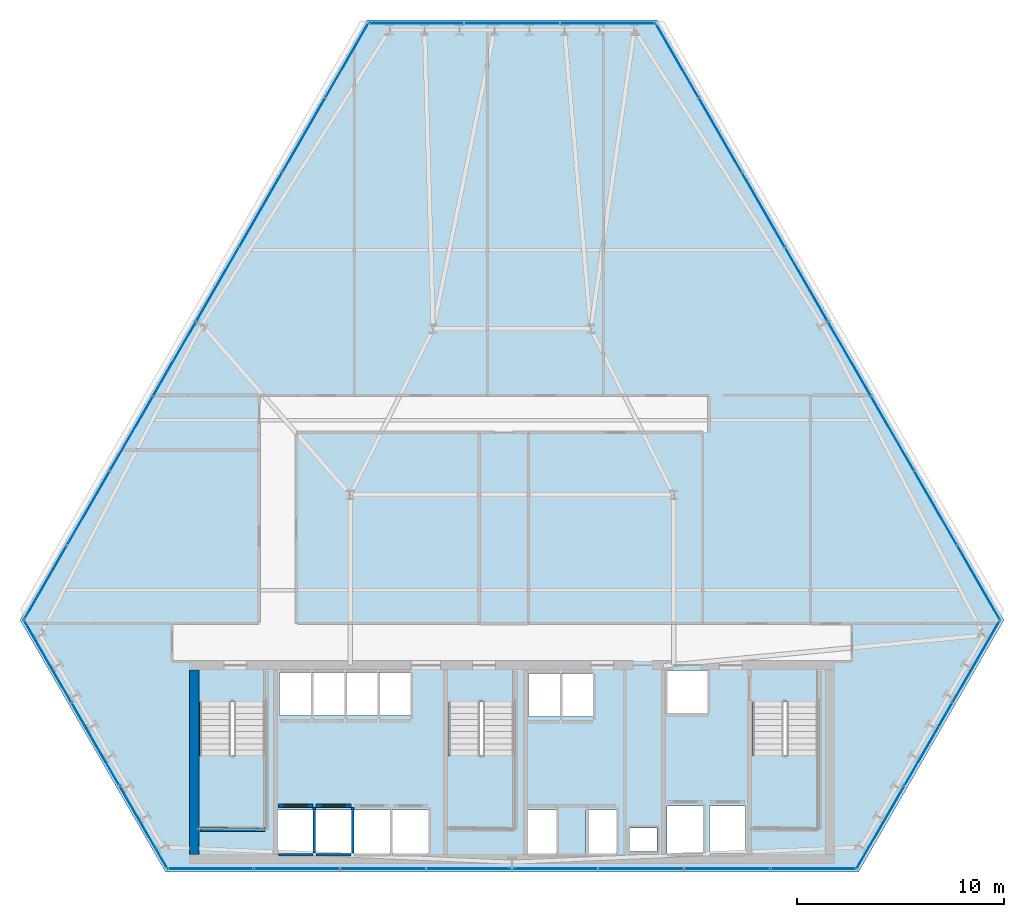
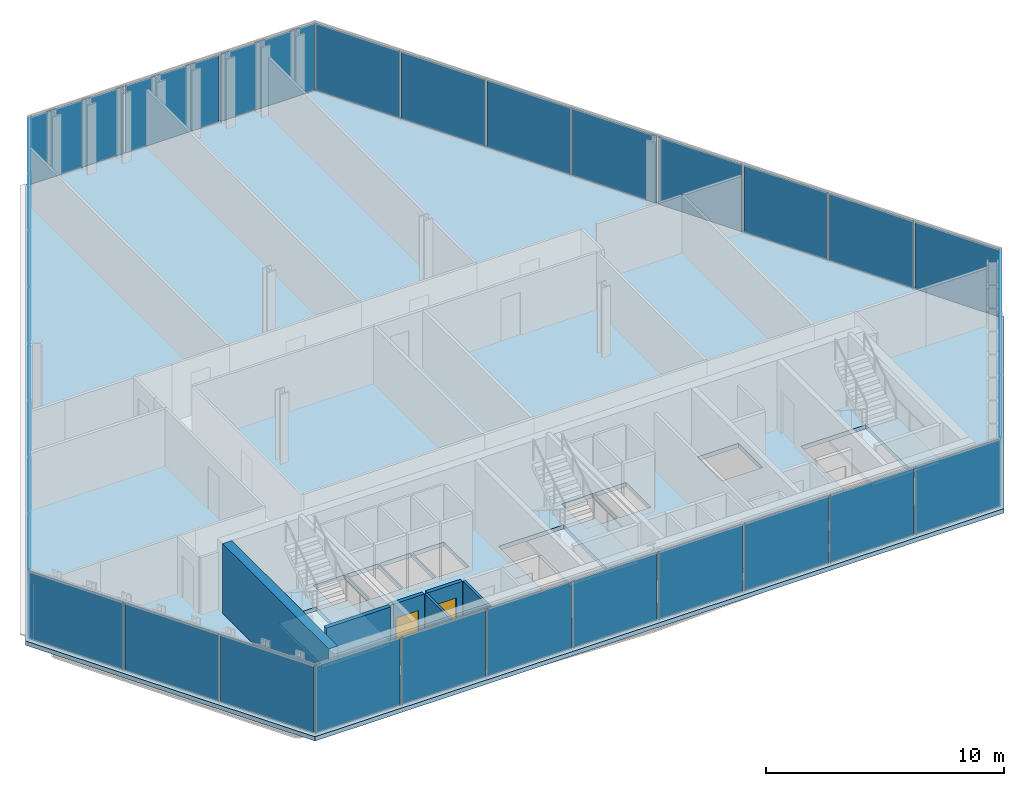
# One storey, part 26 of 32: 33 plates, 8 walls, 4 slabs, 2 doors, 2 openings, 9 elements without a shape of their own.
"""IFC4 building model written with IfcOpenShell, lengths in metres."""

from ifc_helpers import new_model, si_unit, direction, frame, frame_2d, origin, origin_2d, place, context, subcontext, project, spatial, polyline, rectangle, outline, extrude, material, layer, layer_set, type_object, element, fill, aggregate, save


model = new_model("IFC4")

# Units and contexts
model_context = context("Model", 3, precision=1e-05, world=origin(), true_north=direction((0.0, 1.0)))
body_context = subcontext(model_context, "Body", "Model", "MODEL_VIEW")
ifc_project = project(units=[si_unit("LENGTHUNIT", "METRE"), si_unit("AREAUNIT", "SQUARE_METRE"), si_unit("VOLUMEUNIT", "CUBIC_METRE"), si_unit("PLANEANGLEUNIT", "RADIAN"), si_unit("MASSUNIT", "GRAM", prefix="KILO")], contexts=[model_context])

# Site, building, storey
site_placement = place(None, origin())
site = spatial("IfcSite", under=ifc_project, at=site_placement, CompositionType="ELEMENT")
building_placement = place(site_placement, origin())
building = spatial("IfcBuilding", under=site, at=building_placement, Name="Ndaravel Arena Tower", CompositionType="ELEMENT")
storey_placement = place(building_placement, frame((0.0, 0.0, 93.0)))
storey = spatial("IfcBuildingStorey", under=building, at=storey_placement, Name="L21", CompositionType="ELEMENT", Elevation=93.0)

# Curtain wall, plate
ifc_material_1 = material(Name="Aluminium", Category="aluminium")
ifc_layer_1 = layer(ifc_material_1, 0.179931640625)
ifc_layer_set_1 = layer_set([ifc_layer_1], Name="Aluminium")
curtain_wall_type_1 = type_object("IfcCurtainWallType", Name="CW-SYS-01", PredefinedType="NOTDEFINED", material=ifc_layer_set_1)
curtain_wall_1_placement = place(storey_placement, origin())
curtain_wall_1 = element("IfcCurtainWall", 1, at=curtain_wall_1_placement, inside=storey, type_object=curtain_wall_type_1, Name="L21 Faceted Crystal Curtain Wall CW-L21-E02", PredefinedType="NOTDEFINED")
ifc_material_2 = material(Name="Glazing", Category="glass")
ifc_layer_2 = layer(ifc_material_2, 0.035888671875)
ifc_layer_set_2 = layer_set([ifc_layer_2], Name="Glazing")
plate_type_1 = type_object("IfcPlateType", Name="PLT-CW-OPVENT", PredefinedType="CURTAIN_PANEL", material=ifc_layer_set_2)
plate_1_placement = place(storey_placement, frame((62.07666015625, 11.160400390625, 0.06005859375), z_axis=(0.0, 0.0, 1.0), x_axis=(0.5, 0.866025403784, 0.0)))
plate_1 = element("IfcPlate", 2, at=plate_1_placement, type_object=plate_type_1, Name="CW-L21-E02 Operable Vent Sash Panel 02", PredefinedType="CURTAIN_PANEL", context=body_context, shape_type="SweptSolid", body=[
    extrude(rectangle(XDim=4.5390625, YDim=0.035888671875, at=origin_2d()), origin(), (0.0, 0.0, 1.0), 3.4599609375),
])

curtain_wall_2_placement = place(storey_placement, origin())
curtain_wall_2 = element("IfcCurtainWall", 3, at=curtain_wall_2_placement, inside=storey, type_object=curtain_wall_type_1, Name="L21 Faceted Crystal Curtain Wall CW-L21-E04", PredefinedType="NOTDEFINED")
plate_2_placement = place(storey_placement, frame((42.0, 45.93408203125, 0.06005859375), z_axis=(0.0, 0.0, 1.0), x_axis=(-1.0, 0.0, 0.0)))
plate_2 = element("IfcPlate", 4, at=plate_2_placement, type_object=plate_type_1, Name="CW-L21-E04 Operable Vent Sash Panel 02", PredefinedType="CURTAIN_PANEL", context=body_context, shape_type="SweptSolid", body=[
    extrude(rectangle(XDim=4.5390625, YDim=0.035888671875, at=origin_2d()), origin(), (0.0, 0.0, 1.0), 3.4599609375),
])

ifc_material_3 = material(Name="Aluminium", Category="aluminium")
ifc_layer_3 = layer(ifc_material_3, 0.179931640625)
ifc_layer_set_3 = layer_set([ifc_layer_3], Name="Aluminium")
curtain_wall_type_2 = type_object("IfcCurtainWallType", Name="CW-SYS-02", PredefinedType="NOTDEFINED", material=ifc_layer_set_3)
curtain_wall_3_placement = place(storey_placement, origin())
curtain_wall_3 = element("IfcCurtainWall", 5, at=curtain_wall_3_placement, inside=storey, type_object=curtain_wall_type_2, Name="L21 Faceted Crystal Curtain Wall CW-L21-E06", PredefinedType="NOTDEFINED")
plate_3_placement = place(storey_placement, frame((21.92333984375, 11.160400390625, 0.06005859375), z_axis=(0.0, 0.0, 1.0), x_axis=(0.5, -0.866025403784, 0.0)))
plate_3 = element("IfcPlate", 6, at=plate_3_placement, type_object=plate_type_1, Name="CW-L21-E06 Operable Vent Sash Panel 02", PredefinedType="CURTAIN_PANEL", context=body_context, shape_type="SweptSolid", body=[
    extrude(rectangle(XDim=4.5390625, YDim=0.035888671875, at=origin_2d()), origin(), (0.0, 0.0, 1.0), 3.4599609375),
])

# Plate
ifc_material_4 = material(Name="Glazing", Category="glass")
ifc_layer_4 = layer(ifc_material_4, 0.031982421875)
ifc_layer_set_4 = layer_set([ifc_layer_4], Name="Glazing")
plate_type_2 = type_object("IfcPlateType", Name="PLT-GLZ-FRIT35", PredefinedType="CURTAIN_PANEL", material=ifc_layer_set_4)
plate_4_placement = place(storey_placement, frame((59.76708984375, 7.16015625, 0.06005859375), z_axis=(0.0, 0.0, 1.0), x_axis=(0.5, 0.866025403784, 0.0)))
plate_4 = element("IfcPlate", 7, at=plate_4_placement, type_object=plate_type_2, Name="CW-L21-E02 Vision Glass Panel 01", PredefinedType="CURTAIN_PANEL", context=body_context, shape_type="SweptSolid", body=[
    extrude(rectangle(XDim=4.5390625, YDim=0.035888671875, at=origin_2d()), origin(), (0.0, 0.0, 1.0), 3.4599609375),
])

plate_5_placement = place(storey_placement, frame((64.385986328125, 15.16064453125, 0.06005859375), z_axis=(0.0, 0.0, 1.0), x_axis=(0.5, 0.866025403784, 0.0)))
plate_5 = element("IfcPlate", 8, at=plate_5_placement, type_object=plate_type_2, Name="CW-L21-E02 Vision Glass Panel 03", PredefinedType="CURTAIN_PANEL", context=body_context, shape_type="SweptSolid", body=[
    extrude(rectangle(XDim=4.5390625, YDim=0.035888671875, at=origin_2d()), origin(), (0.0, 0.0, 1.0), 3.4599609375),
])

aggregate(curtain_wall_1, [plate_4, plate_1, plate_5])

plate_6_placement = place(storey_placement, frame((46.619140625, 45.93408203125, 0.06005859375), z_axis=(0.0, 0.0, 1.0), x_axis=(-1.0, 0.0, 0.0)))
plate_6 = element("IfcPlate", 9, at=plate_6_placement, type_object=plate_type_2, Name="CW-L21-E04 Vision Glass Panel 01", PredefinedType="CURTAIN_PANEL", context=body_context, shape_type="SweptSolid", body=[
    extrude(rectangle(XDim=4.5390625, YDim=0.035888671875, at=origin_2d()), origin(), (0.0, 0.0, 1.0), 3.4599609375),
])

plate_7_placement = place(storey_placement, frame((37.380859375, 45.93408203125, 0.06005859375), z_axis=(0.0, 0.0, 1.0), x_axis=(-1.0, 0.0, 0.0)))
plate_7 = element("IfcPlate", 10, at=plate_7_placement, type_object=plate_type_2, Name="CW-L21-E04 Vision Glass Panel 03", PredefinedType="CURTAIN_PANEL", context=body_context, shape_type="SweptSolid", body=[
    extrude(rectangle(XDim=4.5390625, YDim=0.035888671875, at=origin_2d()), origin(), (0.0, 0.0, 1.0), 3.4599609375),
])

aggregate(curtain_wall_2, [plate_6, plate_2, plate_7])

ifc_material_5 = material(Name="Glazing", Category="glass")
ifc_layer_5 = layer(ifc_material_5, 0.035888671875)
ifc_layer_set_5 = layer_set([ifc_layer_5], Name="Glazing")
plate_type_3 = type_object("IfcPlateType", Name="PLT-GLZ-FRIT55", PredefinedType="CURTAIN_PANEL", material=ifc_layer_set_5)
plate_8_placement = place(storey_placement, frame((19.614013671875, 15.16064453125, 0.06005859375), z_axis=(0.0, 0.0, 1.0), x_axis=(0.5, -0.866025403784, 0.0)))
plate_8 = element("IfcPlate", 11, at=plate_8_placement, type_object=plate_type_3, Name="CW-L21-E06 Vision Glass Panel 01", PredefinedType="CURTAIN_PANEL", context=body_context, shape_type="SweptSolid", body=[
    extrude(rectangle(XDim=4.5390625, YDim=0.035888671875, at=origin_2d()), origin(), (0.0, 0.0, 1.0), 3.4599609375),
])

plate_9_placement = place(storey_placement, frame((24.23291015625, 7.16015625, 0.06005859375), z_axis=(0.0, 0.0, 1.0), x_axis=(0.5, -0.866025403784, 0.0)))
plate_9 = element("IfcPlate", 12, at=plate_9_placement, type_object=plate_type_3, Name="CW-L21-E06 Vision Glass Panel 03", PredefinedType="CURTAIN_PANEL", context=body_context, shape_type="SweptSolid", body=[
    extrude(rectangle(XDim=4.5390625, YDim=0.035888671875, at=origin_2d()), origin(), (0.0, 0.0, 1.0), 3.4599609375),
])

aggregate(curtain_wall_3, [plate_8, plate_3, plate_9])

# Curtain wall, plates
ifc_material_6 = material(Name="Aluminium", Category="aluminium")
ifc_layer_6 = layer(ifc_material_6, 0.179931640625)
ifc_layer_set_6 = layer_set([ifc_layer_6], Name="Aluminium")
curtain_wall_type_3 = type_object("IfcCurtainWallType", Name="CW-SYS-03", PredefinedType="NOTDEFINED", material=ifc_layer_set_6)
curtain_wall_4_placement = place(storey_placement, origin())
curtain_wall_4 = element("IfcCurtainWall", 13, at=curtain_wall_4_placement, inside=storey, type_object=curtain_wall_type_3, Name="L21 Faceted Crystal Curtain Wall CW-L21-E01", PredefinedType="NOTDEFINED")
ifc_material_7 = material(Name="Glazing", Category="glass")
ifc_layer_7 = layer(ifc_material_7, 0.0400390625)
ifc_layer_set_7 = layer_set([ifc_layer_7], Name="Glazing")
plate_type_4 = type_object("IfcPlateType", Name="PLT-GLZ-LOWIRON", PredefinedType="CURTAIN_PANEL", material=ifc_layer_set_7)
plate_10_placement = place(storey_placement, frame((27.464111328125, 5.159912109375, 0.06005859375), z_axis=(0.0, 0.0, 1.0), x_axis=(1.0, 0.0, 0.0)))
plate_10 = element("IfcPlate", 14, at=plate_10_placement, type_object=plate_type_4, Name="CW-L21-E01 Vision Glass Panel 01", PredefinedType="CURTAIN_PANEL", context=body_context, shape_type="SweptSolid", body=[
    extrude(rectangle(XDim=4.072998046875, YDim=0.035888671875, at=origin_2d()), origin(), (0.0, 0.0, 1.0), 3.4599609375),
])
plate_11_placement = place(storey_placement, frame((31.6171875, 5.159912109375, 0.06005859375), z_axis=(0.0, 0.0, 1.0), x_axis=(1.0, 0.0, 0.0)))
plate_11 = element("IfcPlate", 15, at=plate_11_placement, type_object=plate_type_4, Name="CW-L21-E01 Vision Glass Panel 02", PredefinedType="CURTAIN_PANEL", context=body_context, shape_type="SweptSolid", body=[
    extrude(rectangle(XDim=4.072998046875, YDim=0.035888671875, at=origin_2d()), origin(), (0.0, 0.0, 1.0), 3.4599609375),
])
plate_12_placement = place(storey_placement, frame((35.7705078125, 5.159912109375, 0.06005859375), z_axis=(0.0, 0.0, 1.0), x_axis=(1.0, 0.0, 0.0)))
plate_12 = element("IfcPlate", 16, at=plate_12_placement, type_object=plate_type_4, Name="CW-L21-E01 Vision Glass Panel 03", PredefinedType="CURTAIN_PANEL", context=body_context, shape_type="SweptSolid", body=[
    extrude(rectangle(XDim=4.072998046875, YDim=0.035888671875, at=origin_2d()), origin(), (0.0, 0.0, 1.0), 3.4599609375),
])
plate_13_placement = place(storey_placement, frame((39.923583984375, 5.159912109375, 0.06005859375), z_axis=(0.0, 0.0, 1.0), x_axis=(1.0, 0.0, 0.0)))
plate_13 = element("IfcPlate", 17, at=plate_13_placement, type_object=plate_type_4, Name="CW-L21-E01 Vision Glass Panel 04", PredefinedType="CURTAIN_PANEL", context=body_context, shape_type="SweptSolid", body=[
    extrude(rectangle(XDim=4.072998046875, YDim=0.035888671875, at=origin_2d()), origin(), (0.0, 0.0, 1.0), 3.4599609375),
])
plate_14_placement = place(storey_placement, frame((44.076416015625, 5.159912109375, 0.06005859375), z_axis=(0.0, 0.0, 1.0), x_axis=(1.0, 0.0, 0.0)))
plate_14 = element("IfcPlate", 18, at=plate_14_placement, type_object=plate_type_4, Name="CW-L21-E01 Vision Glass Panel 05", PredefinedType="CURTAIN_PANEL", context=body_context, shape_type="SweptSolid", body=[
    extrude(rectangle(XDim=4.072998046875, YDim=0.035888671875, at=origin_2d()), origin(), (0.0, 0.0, 1.0), 3.4599609375),
])
plate_15_placement = place(storey_placement, frame((48.2294921875, 5.159912109375, 0.06005859375), z_axis=(0.0, 0.0, 1.0), x_axis=(1.0, 0.0, 0.0)))
plate_15 = element("IfcPlate", 19, at=plate_15_placement, type_object=plate_type_4, Name="CW-L21-E01 Vision Glass Panel 06", PredefinedType="CURTAIN_PANEL", context=body_context, shape_type="SweptSolid", body=[
    extrude(rectangle(XDim=4.072998046875, YDim=0.035888671875, at=origin_2d()), origin(), (0.0, 0.0, 1.0), 3.4599609375),
])
plate_16_placement = place(storey_placement, frame((52.3828125, 5.159912109375, 0.06005859375), z_axis=(0.0, 0.0, 1.0), x_axis=(1.0, 0.0, 0.0)))
plate_16 = element("IfcPlate", 20, at=plate_16_placement, type_object=plate_type_4, Name="CW-L21-E01 Vision Glass Panel 07", PredefinedType="CURTAIN_PANEL", context=body_context, shape_type="SweptSolid", body=[
    extrude(rectangle(XDim=4.072998046875, YDim=0.035888671875, at=origin_2d()), origin(), (0.0, 0.0, 1.0), 3.4599609375),
])
plate_17_placement = place(storey_placement, frame((56.535888671875, 5.159912109375, 0.06005859375), z_axis=(0.0, 0.0, 1.0), x_axis=(1.0, 0.0, 0.0)))
plate_17 = element("IfcPlate", 21, at=plate_17_placement, type_object=plate_type_4, Name="CW-L21-E01 Vision Glass Panel 08", PredefinedType="CURTAIN_PANEL", context=body_context, shape_type="SweptSolid", body=[
    extrude(rectangle(XDim=4.072998046875, YDim=0.035888671875, at=origin_2d()), origin(), (0.0, 0.0, 1.0), 3.4599609375),
])
aggregate(curtain_wall_4, [plate_10, plate_11, plate_12, plate_13, plate_14, plate_15, plate_16, plate_17])

curtain_wall_5_placement = place(storey_placement, origin())
curtain_wall_5 = element("IfcCurtainWall", 22, at=curtain_wall_5_placement, inside=storey, type_object=curtain_wall_type_3, Name="L21 Faceted Crystal Curtain Wall CW-L21-E03", PredefinedType="NOTDEFINED")
plate_18_placement = place(storey_placement, frame((64.502685546875, 18.958984375, 0.06005859375), z_axis=(0.0, 0.0, 1.0), x_axis=(-0.5, 0.866025403784, 0.0)))
plate_18 = element("IfcPlate", 23, at=plate_18_placement, type_object=plate_type_4, Name="CW-L21-E03 Vision Glass Panel 01", PredefinedType="CURTAIN_PANEL", context=body_context, shape_type="SweptSolid", body=[
    extrude(rectangle(XDim=4.072998046875, YDim=0.035888671875, at=origin_2d()), origin(), (0.0, 0.0, 1.0), 3.4599609375),
])
plate_19_placement = place(storey_placement, frame((62.426025390625, 22.5556640625, 0.06005859375), z_axis=(0.0, 0.0, 1.0), x_axis=(-0.5, 0.866025403784, 0.0)))
plate_19 = element("IfcPlate", 24, at=plate_19_placement, type_object=plate_type_4, Name="CW-L21-E03 Vision Glass Panel 02", PredefinedType="CURTAIN_PANEL", context=body_context, shape_type="SweptSolid", body=[
    extrude(rectangle(XDim=4.072998046875, YDim=0.035888671875, at=origin_2d()), origin(), (0.0, 0.0, 1.0), 3.4599609375),
])
plate_20_placement = place(storey_placement, frame((60.349609375, 26.15234375, 0.06005859375), z_axis=(0.0, 0.0, 1.0), x_axis=(-0.5, 0.866025403784, 0.0)))
plate_20 = element("IfcPlate", 25, at=plate_20_placement, type_object=plate_type_4, Name="CW-L21-E03 Vision Glass Panel 03", PredefinedType="CURTAIN_PANEL", context=body_context, shape_type="SweptSolid", body=[
    extrude(rectangle(XDim=4.072998046875, YDim=0.035888671875, at=origin_2d()), origin(), (0.0, 0.0, 1.0), 3.4599609375),
])
plate_21_placement = place(storey_placement, frame((58.27294921875, 29.7490234375, 0.06005859375), z_axis=(0.0, 0.0, 1.0), x_axis=(-0.5, 0.866025403784, 0.0)))
plate_21 = element("IfcPlate", 26, at=plate_21_placement, type_object=plate_type_4, Name="CW-L21-E03 Vision Glass Panel 04", PredefinedType="CURTAIN_PANEL", context=body_context, shape_type="SweptSolid", body=[
    extrude(rectangle(XDim=4.072998046875, YDim=0.035888671875, at=origin_2d()), origin(), (0.0, 0.0, 1.0), 3.4599609375),
])
plate_22_placement = place(storey_placement, frame((56.196533203125, 33.345703125, 0.06005859375), z_axis=(0.0, 0.0, 1.0), x_axis=(-0.5, 0.866025403784, 0.0)))
plate_22 = element("IfcPlate", 27, at=plate_22_placement, type_object=plate_type_4, Name="CW-L21-E03 Vision Glass Panel 05", PredefinedType="CURTAIN_PANEL", context=body_context, shape_type="SweptSolid", body=[
    extrude(rectangle(XDim=4.072998046875, YDim=0.035888671875, at=origin_2d()), origin(), (0.0, 0.0, 1.0), 3.4599609375),
])
plate_23_placement = place(storey_placement, frame((54.119873046875, 36.9423828125, 0.06005859375), z_axis=(0.0, 0.0, 1.0), x_axis=(-0.5, 0.866025403784, 0.0)))
plate_23 = element("IfcPlate", 28, at=plate_23_placement, type_object=plate_type_4, Name="CW-L21-E03 Vision Glass Panel 06", PredefinedType="CURTAIN_PANEL", context=body_context, shape_type="SweptSolid", body=[
    extrude(rectangle(XDim=4.072998046875, YDim=0.035888671875, at=origin_2d()), origin(), (0.0, 0.0, 1.0), 3.4599609375),
])
plate_24_placement = place(storey_placement, frame((52.04345703125, 40.5390625, 0.06005859375), z_axis=(0.0, 0.0, 1.0), x_axis=(-0.5, 0.866025403784, 0.0)))
plate_24 = element("IfcPlate", 29, at=plate_24_placement, type_object=plate_type_4, Name="CW-L21-E03 Vision Glass Panel 07", PredefinedType="CURTAIN_PANEL", context=body_context, shape_type="SweptSolid", body=[
    extrude(rectangle(XDim=4.072998046875, YDim=0.035888671875, at=origin_2d()), origin(), (0.0, 0.0, 1.0), 3.4599609375),
])
plate_25_placement = place(storey_placement, frame((49.966796875, 44.1357421875, 0.06005859375), z_axis=(0.0, 0.0, 1.0), x_axis=(-0.5, 0.866025403784, 0.0)))
plate_25 = element("IfcPlate", 30, at=plate_25_placement, type_object=plate_type_4, Name="CW-L21-E03 Vision Glass Panel 08", PredefinedType="CURTAIN_PANEL", context=body_context, shape_type="SweptSolid", body=[
    extrude(rectangle(XDim=4.072998046875, YDim=0.035888671875, at=origin_2d()), origin(), (0.0, 0.0, 1.0), 3.4599609375),
])
aggregate(curtain_wall_5, [plate_18, plate_19, plate_20, plate_21, plate_22, plate_23, plate_24, plate_25])

curtain_wall_6_placement = place(storey_placement, origin())
curtain_wall_6 = element("IfcCurtainWall", 31, at=curtain_wall_6_placement, inside=storey, type_object=curtain_wall_type_3, Name="L21 Faceted Crystal Curtain Wall CW-L21-E05", PredefinedType="NOTDEFINED")
plate_26_placement = place(storey_placement, frame((34.033203125, 44.1357421875, 0.06005859375), z_axis=(0.0, 0.0, 1.0), x_axis=(-0.5, -0.866025403784, 0.0)))
plate_26 = element("IfcPlate", 32, at=plate_26_placement, type_object=plate_type_4, Name="CW-L21-E05 Vision Glass Panel 01", PredefinedType="CURTAIN_PANEL", context=body_context, shape_type="SweptSolid", body=[
    extrude(rectangle(XDim=4.072998046875, YDim=0.035888671875, at=origin_2d()), origin(), (0.0, 0.0, 1.0), 3.4599609375),
])
plate_27_placement = place(storey_placement, frame((31.95654296875, 40.5390625, 0.06005859375), z_axis=(0.0, 0.0, 1.0), x_axis=(-0.5, -0.866025403784, 0.0)))
plate_27 = element("IfcPlate", 33, at=plate_27_placement, type_object=plate_type_4, Name="CW-L21-E05 Vision Glass Panel 02", PredefinedType="CURTAIN_PANEL", context=body_context, shape_type="SweptSolid", body=[
    extrude(rectangle(XDim=4.072998046875, YDim=0.035888671875, at=origin_2d()), origin(), (0.0, 0.0, 1.0), 3.4599609375),
])
plate_28_placement = place(storey_placement, frame((29.880126953125, 36.9423828125, 0.06005859375), z_axis=(0.0, 0.0, 1.0), x_axis=(-0.5, -0.866025403784, 0.0)))
plate_28 = element("IfcPlate", 34, at=plate_28_placement, type_object=plate_type_4, Name="CW-L21-E05 Vision Glass Panel 03", PredefinedType="CURTAIN_PANEL", context=body_context, shape_type="SweptSolid", body=[
    extrude(rectangle(XDim=4.072998046875, YDim=0.035888671875, at=origin_2d()), origin(), (0.0, 0.0, 1.0), 3.4599609375),
])
plate_29_placement = place(storey_placement, frame((27.803466796875, 33.345703125, 0.06005859375), z_axis=(0.0, 0.0, 1.0), x_axis=(-0.5, -0.866025403784, 0.0)))
plate_29 = element("IfcPlate", 35, at=plate_29_placement, type_object=plate_type_4, Name="CW-L21-E05 Vision Glass Panel 04", PredefinedType="CURTAIN_PANEL", context=body_context, shape_type="SweptSolid", body=[
    extrude(rectangle(XDim=4.072998046875, YDim=0.035888671875, at=origin_2d()), origin(), (0.0, 0.0, 1.0), 3.4599609375),
])
plate_30_placement = place(storey_placement, frame((25.72705078125, 29.7490234375, 0.06005859375), z_axis=(0.0, 0.0, 1.0), x_axis=(-0.5, -0.866025403784, 0.0)))
plate_30 = element("IfcPlate", 36, at=plate_30_placement, type_object=plate_type_4, Name="CW-L21-E05 Vision Glass Panel 05", PredefinedType="CURTAIN_PANEL", context=body_context, shape_type="SweptSolid", body=[
    extrude(rectangle(XDim=4.072998046875, YDim=0.035888671875, at=origin_2d()), origin(), (0.0, 0.0, 1.0), 3.4599609375),
])
plate_31_placement = place(storey_placement, frame((23.650390625, 26.15234375, 0.06005859375), z_axis=(0.0, 0.0, 1.0), x_axis=(-0.5, -0.866025403784, 0.0)))
plate_31 = element("IfcPlate", 37, at=plate_31_placement, type_object=plate_type_4, Name="CW-L21-E05 Vision Glass Panel 06", PredefinedType="CURTAIN_PANEL", context=body_context, shape_type="SweptSolid", body=[
    extrude(rectangle(XDim=4.072998046875, YDim=0.035888671875, at=origin_2d()), origin(), (0.0, 0.0, 1.0), 3.4599609375),
])
plate_32_placement = place(storey_placement, frame((21.573974609375, 22.5556640625, 0.06005859375), z_axis=(0.0, 0.0, 1.0), x_axis=(-0.5, -0.866025403784, 0.0)))
plate_32 = element("IfcPlate", 38, at=plate_32_placement, type_object=plate_type_4, Name="CW-L21-E05 Vision Glass Panel 07", PredefinedType="CURTAIN_PANEL", context=body_context, shape_type="SweptSolid", body=[
    extrude(rectangle(XDim=4.072998046875, YDim=0.035888671875, at=origin_2d()), origin(), (0.0, 0.0, 1.0), 3.4599609375),
])
plate_33_placement = place(storey_placement, frame((19.497314453125, 18.958984375, 0.06005859375), z_axis=(0.0, 0.0, 1.0), x_axis=(-0.5, -0.866025403784, 0.0)))
plate_33 = element("IfcPlate", 39, at=plate_33_placement, type_object=plate_type_4, Name="CW-L21-E05 Vision Glass Panel 08", PredefinedType="CURTAIN_PANEL", context=body_context, shape_type="SweptSolid", body=[
    extrude(rectangle(XDim=4.072998046875, YDim=0.035888671875, at=origin_2d()), origin(), (0.0, 0.0, 1.0), 3.4599609375),
])
aggregate(curtain_wall_6, [plate_26, plate_27, plate_28, plate_29, plate_30, plate_31, plate_32, plate_33])

# Stair, slab
ifc_material_8 = material(Name="Concrete C40/50", Category="concrete")
stair_type = type_object("IfcStairType", Name="STAIR-CORE-HT", PredefinedType="HALF_TURN_STAIR", material=ifc_material_8)
stair_1_placement = place(storey_placement, origin())
stair_1 = element("IfcStair", 40, at=stair_1_placement, inside=storey, type_object=stair_type, Name="L21 ST-1", PredefinedType="HALF_TURN_STAIR")
ifc_material_9 = material(Name="Concrete C40/50", Category="concrete")
ifc_layer_8 = layer(ifc_material_9, 0.199951171875)
ifc_layer_set_8 = layer_set([ifc_layer_8], Name="Concrete C40/50")
slab_type_1 = type_object("IfcSlabType", Name="SLAB-STAIR-LANDING", PredefinedType="LANDING", material=ifc_layer_set_8)
slab_1_placement = place(storey_placement, frame((0.0, 0.0, 1.699951171875)))
slab_1 = element("IfcSlab", 41, at=slab_1_placement, type_object=slab_type_1, Name="ST-1 landing 1", PredefinedType="LANDING", context=body_context, shape_type="SweptSolid", body=[
    extrude(outline(polyline([(26.81005859375, 10.6298828125), (26.81005859375, 7.070068359375), (30.169921875, 7.070068359375), (30.169921875, 10.6298828125), (26.81005859375, 10.6298828125)])), origin(), (0.0, 0.0, 1.0), 0.199951171875),
])
aggregate(stair_1, [slab_1])

stair_2_placement = place(storey_placement, origin())
stair_2 = element("IfcStair", 42, at=stair_2_placement, inside=storey, type_object=stair_type, Name="L21 ST-2", PredefinedType="HALF_TURN_STAIR")
slab_2_placement = place(storey_placement, frame((0.0, 0.0, 1.699951171875)))
slab_2 = element("IfcSlab", 43, at=slab_2_placement, type_object=slab_type_1, Name="ST-2 landing 1", PredefinedType="LANDING", context=body_context, shape_type="SweptSolid", body=[
    extrude(outline(polyline([(38.81005859375, 10.6298828125), (38.81005859375, 7.070068359375), (42.169921875, 7.070068359375), (42.169921875, 10.6298828125), (38.81005859375, 10.6298828125)])), origin(), (0.0, 0.0, 1.0), 0.199951171875),
])
aggregate(stair_2, [slab_2])

stair_3_placement = place(storey_placement, origin())
stair_3 = element("IfcStair", 44, at=stair_3_placement, inside=storey, type_object=stair_type, Name="L21 ST-3", PredefinedType="HALF_TURN_STAIR")
slab_3_placement = place(storey_placement, frame((0.0, 0.0, 1.699951171875)))
slab_3 = element("IfcSlab", 45, at=slab_3_placement, type_object=slab_type_1, Name="ST-3 landing 1", PredefinedType="LANDING", context=body_context, shape_type="SweptSolid", body=[
    extrude(outline(polyline([(53.4599609375, 10.6298828125), (53.4599609375, 7.070068359375), (56.820068359375, 7.070068359375), (56.820068359375, 10.6298828125), (53.4599609375, 10.6298828125)])), origin(), (0.0, 0.0, 1.0), 0.199951171875),
])
aggregate(stair_3, [slab_3])

# Slab
ifc_material_10 = material(Name="Concrete C40/50", Category="concrete")
ifc_layer_9 = layer(ifc_material_10, 0.219970703125)
ifc_layer_set_9 = layer_set([ifc_layer_9], Name="Concrete C40/50")
slab_type_2 = type_object("IfcSlabType", Name="SLAB-TWR-220", PredefinedType="FLOOR", material=ifc_layer_set_9)
slab_4_placement = place(storey_placement, frame((0.0, 0.0, -0.219970703125)))
element("IfcSlab", 46, at=slab_4_placement, inside=storey, type_object=slab_type_2, Name="L21 Structural Floor Slab", PredefinedType="FLOOR", context=body_context, shape_type="SweptSolid", body=[
    extrude(outline(polyline([(18.2744140625, 17.16064453125), (25.29541015625, 5.0), (58.70458984375, 5.0), (65.7255859375, 17.16064453125), (49.02099609375, 46.093994140625), (34.97900390625, 46.093994140625), (18.2744140625, 17.16064453125)]), holes=[polyline([(26.949951171875, 13.215087890625), (26.949951171875, 7.14990234375), (30.090087890625, 7.14990234375), (30.090087890625, 13.215087890625), (26.949951171875, 13.215087890625)]), polyline([(38.949951171875, 13.215087890625), (38.949951171875, 7.14990234375), (42.090087890625, 7.14990234375), (42.090087890625, 13.215087890625), (38.949951171875, 13.215087890625)]), polyline([(53.60009765625, 13.215087890625), (53.60009765625, 7.14990234375), (56.739990234375, 7.14990234375), (56.739990234375, 13.215087890625), (53.60009765625, 13.215087890625)]), polyline([(30.68505859375, 5.909912109375), (32.4150390625, 5.909912109375), (32.4150390625, 7.989990234375), (30.68505859375, 7.989990234375), (30.68505859375, 5.909912109375)]), polyline([(32.534912109375, 5.909912109375), (34.264892578125, 5.909912109375), (34.264892578125, 7.989990234375), (32.534912109375, 7.989990234375), (32.534912109375, 5.909912109375)]), polyline([(34.385009765625, 5.909912109375), (36.114990234375, 5.909912109375), (36.114990234375, 7.989990234375), (34.385009765625, 7.989990234375), (34.385009765625, 5.909912109375)]), polyline([(36.235107421875, 5.909912109375), (37.965087890625, 5.909912109375), (37.965087890625, 7.989990234375), (36.235107421875, 7.989990234375), (36.235107421875, 5.909912109375)]), polyline([(30.784912109375, 12.56005859375), (32.31494140625, 12.56005859375), (32.31494140625, 14.639892578125), (30.784912109375, 14.639892578125), (30.784912109375, 12.56005859375)]), polyline([(32.385009765625, 12.56005859375), (33.9150390625, 12.56005859375), (33.9150390625, 14.639892578125), (32.385009765625, 14.639892578125), (32.385009765625, 12.56005859375)]), polyline([(33.985107421875, 12.56005859375), (35.514892578125, 12.56005859375), (35.514892578125, 14.639892578125), (33.985107421875, 14.639892578125), (33.985107421875, 12.56005859375)]), polyline([(35.5849609375, 12.56005859375), (37.114990234375, 12.56005859375), (37.114990234375, 14.639892578125), (35.5849609375, 14.639892578125), (35.5849609375, 12.56005859375)]), polyline([(42.659912109375, 5.909912109375), (44.139892578125, 5.909912109375), (44.139892578125, 7.989990234375), (42.659912109375, 7.989990234375), (42.659912109375, 5.909912109375)]), polyline([(45.56005859375, 5.909912109375), (47.0400390625, 5.909912109375), (47.0400390625, 7.989990234375), (45.56005859375, 7.989990234375), (45.56005859375, 5.909912109375)]), polyline([(42.784912109375, 12.510009765625), (44.31494140625, 12.510009765625), (44.31494140625, 14.590087890625), (42.784912109375, 14.590087890625), (42.784912109375, 12.510009765625)]), polyline([(44.385009765625, 12.510009765625), (45.9150390625, 12.510009765625), (45.9150390625, 14.590087890625), (44.385009765625, 14.590087890625), (44.385009765625, 12.510009765625)]), polyline([(49.485107421875, 5.909912109375), (51.215087890625, 5.909912109375), (51.215087890625, 8.18994140625), (49.485107421875, 8.18994140625), (49.485107421875, 5.909912109375)]), polyline([(51.534912109375, 5.909912109375), (53.264892578125, 5.909912109375), (53.264892578125, 8.18994140625), (51.534912109375, 8.18994140625), (51.534912109375, 5.909912109375)]), polyline([(49.4599609375, 12.68505859375), (51.43994140625, 12.68505859375), (51.43994140625, 14.715087890625), (49.4599609375, 14.715087890625), (49.4599609375, 12.68505859375)]), polyline([(47.699951171875, 6.0), (49.0, 6.0), (49.0, 7.139892578125), (47.699951171875, 7.139892578125), (47.699951171875, 6.0)])]), origin(), (0.0, 0.0, 1.0), 0.219970703125),
])

# Walls
ifc_material_11 = material(Name="Concrete C60/75", Category="concrete")
ifc_layer_10 = layer(ifc_material_11, 0.449951171875)
ifc_layer_set_10 = layer_set([ifc_layer_10], Name="Concrete C60/75")
wall_type_1 = type_object("IfcWallType", Name="WALL-CORE-450", PredefinedType="SOLIDWALL", material=ifc_layer_set_10)
wall_1_placement = place(storey_placement, frame((26.675048828125, 5.85009765625, 0.0), z_axis=(0.0, 0.0, 1.0), x_axis=(0.0, 1.0, 0.0)))
element("IfcWall", 47, at=wall_1_placement, inside=storey, type_object=wall_type_1, Name="L21 Core West Shear Wall", PredefinedType="SOLIDWALL", context=body_context, shape_type="SweptSolid", body=[
    extrude(rectangle(XDim=8.89990234375, YDim=0.449951171875, at=frame_2d((4.449951171875, 0.0))), origin(), (0.0, 0.0, 1.0), 3.580078125),
])
ifc_material_12 = material(Name="Concrete C40/50", Category="concrete")
ifc_layer_11 = layer(ifc_material_12, 0.1201171875)
ifc_layer_set_11 = layer_set([ifc_layer_11], Name="Concrete C40/50")
wall_type_2 = type_object("IfcWallType", Name="WALL-SHAFT-120", PredefinedType="SOLIDWALL", material=ifc_layer_set_11)
wall_2_placement = place(storey_placement, frame((30.72998046875, 5.840087890625, 0.0), z_axis=(0.0, 0.0, 1.0), x_axis=(1.0, 0.0, 0.0)))
element("IfcWall", 48, at=wall_2_placement, inside=storey, type_object=wall_type_2, Name="L21 PL-L1 Shaft Rear Wall", PredefinedType="SOLIDWALL", context=body_context, shape_type="SweptSolid", body=[
    extrude(rectangle(XDim=1.6650390625, YDim=0.1201171875, at=frame_2d((0.83251953125, 0.0))), origin(), (0.0, 0.0, 1.0), 2.949951171875),
])
wall_3_placement = place(storey_placement, frame((32.47509765625, 5.929931640625, 0.0), z_axis=(0.0, 0.0, 1.0), x_axis=(0.0, 1.0, 0.0)))
element("IfcWall", 49, at=wall_3_placement, inside=storey, type_object=wall_type_2, Name="L21 PL-L1 Shaft Side R Wall", PredefinedType="SOLIDWALL", context=body_context, shape_type="SweptSolid", body=[
    extrude(rectangle(XDim=2.18017578125, YDim=0.1201171875, at=frame_2d((1.090087890625, 0.0))), origin(), (0.0, 0.0, 1.0), 2.949951171875),
])
wall_4_placement = place(storey_placement, frame((32.554931640625, 5.840087890625, 0.0), z_axis=(0.0, 0.0, 1.0), x_axis=(1.0, 0.0, 0.0)))
element("IfcWall", 50, at=wall_4_placement, inside=storey, type_object=wall_type_2, Name="L21 PL-L2 Shaft Rear Wall", PredefinedType="SOLIDWALL", context=body_context, shape_type="SweptSolid", body=[
    extrude(rectangle(XDim=1.690185546875, YDim=0.1201171875, at=frame_2d((0.84521484375, 0.0))), origin(), (0.0, 0.0, 1.0), 2.949951171875),
])
wall_5_placement = place(storey_placement, frame((34.324951171875, 5.929931640625, 0.0), z_axis=(0.0, 0.0, 1.0), x_axis=(0.0, 1.0, 0.0)))
element("IfcWall", 51, at=wall_5_placement, inside=storey, type_object=wall_type_2, Name="L21 PL-L2 Shaft Side R Wall", PredefinedType="SOLIDWALL", context=body_context, shape_type="SweptSolid", body=[
    extrude(rectangle(XDim=2.18017578125, YDim=0.1201171875, at=frame_2d((1.090087890625, 0.0))), origin(), (0.0, 0.0, 1.0), 2.949951171875),
])
ifc_material_13 = material(Name="Concrete C40/50", Category="concrete")
ifc_layer_12 = layer(ifc_material_13, 0.199951171875)
ifc_layer_set_12 = layer_set([ifc_layer_12], Name="Concrete C40/50")
wall_type_3 = type_object("IfcWallType", Name="WALL-SHAFT-200", PredefinedType="SOLIDWALL", material=ifc_layer_set_12)
wall_6_placement = place(storey_placement, frame((26.969970703125, 7.050048828125, 0.0), z_axis=(0.0, 0.0, 1.0), x_axis=(1.0, 0.0, 0.0)))
element("IfcWall", 52, at=wall_6_placement, inside=storey, type_object=wall_type_3, Name="L21 ST-1 Structural Shaft Wall Far", PredefinedType="SOLIDWALL", context=body_context, shape_type="SweptSolid", body=[
    extrude(rectangle(XDim=3.114990234375, YDim=0.199951171875, at=frame_2d((1.5576171875, 0.0))), origin(), (0.0, 0.0, 1.0), 3.800048828125),
])

# Wall, opening, door
wall_7_placement = place(storey_placement, frame((30.72998046875, 8.199951171875, 0.0), z_axis=(0.0, 0.0, 1.0), x_axis=(1.0, 0.0, 0.0)))
wall_7 = element("IfcWall", 53, at=wall_7_placement, inside=storey, type_object=wall_type_3, Name="L21 PL-L1 Shaft Landing Wall", PredefinedType="SOLIDWALL", context=body_context, shape_type="SweptSolid", body=[
    extrude(rectangle(XDim=1.6650390625, YDim=0.179931640625, at=frame_2d((0.83251953125, 0.0))), origin(), (0.0, 0.0, 1.0), 2.949951171875),
])
opening_1_placement = place(wall_7_placement, frame((0.282470703125, 0.0, 0.0)))
opening_1 = element("IfcOpeningElement", 54, at=opening_1_placement, cuts=wall_7, Name="Opening LD-01", PredefinedType="OPENING", context=body_context, shape_type="SweptSolid", body=[
    extrude(rectangle(XDim=1.10009765625, YDim=2.199951171875, at=frame_2d((0.550048828125, 1.10009765625))), frame((0.0, 0.08984375, 0.0), z_axis=(0.0, -1.0, 0.0), x_axis=(1.0, 0.0, 0.0)), (0.0, 0.0, 1.0), 0.179931640625),
])
ifc_material_14 = material(Name="Steel S355", Category="steel")
door_type = type_object("IfcDoorType", Name="DT-06-LIFT-1100", OperationType="SLIDING_TO_LEFT", PredefinedType="DOOR", material=ifc_material_14)
door_1_placement = place(opening_1_placement, origin())
door_1 = element("IfcDoor", 55, at=door_1_placement, inside=storey, type_object=door_type, Name="L21 Lift PL-L1 Sliding Landing Door", OperationType="SLIDING_TO_LEFT", OverallHeight=2.199951171875, OverallWidth=1.10009765625, PredefinedType="DOOR", context=body_context, shape_type="SweptSolid", body=[
    extrude(rectangle(XDim=1.10009765625, YDim=2.199951171875, at=frame_2d((0.550048828125, 1.10009765625))), frame((0.0, 0.02490234375, 0.0), z_axis=(0.0, -1.0, 0.0), x_axis=(1.0, 0.0, 0.0)), (0.0, 0.0, 1.0), 0.050048828125),
])
fill(opening_1, door_1)

wall_8_placement = place(storey_placement, frame((32.554931640625, 8.199951171875, 0.0), z_axis=(0.0, 0.0, 1.0), x_axis=(1.0, 0.0, 0.0)))
wall_8 = element("IfcWall", 56, at=wall_8_placement, inside=storey, type_object=wall_type_3, Name="L21 PL-L2 Shaft Landing Wall", PredefinedType="SOLIDWALL", context=body_context, shape_type="SweptSolid", body=[
    extrude(rectangle(XDim=1.690185546875, YDim=0.179931640625, at=frame_2d((0.84521484375, 0.0))), origin(), (0.0, 0.0, 1.0), 2.949951171875),
])
opening_2_placement = place(wall_8_placement, frame((0.294921875, 0.0, 0.0)))
opening_2 = element("IfcOpeningElement", 57, at=opening_2_placement, cuts=wall_8, Name="Opening LD-01", PredefinedType="OPENING", context=body_context, shape_type="SweptSolid", body=[
    extrude(rectangle(XDim=1.10009765625, YDim=2.199951171875, at=frame_2d((0.550048828125, 1.10009765625))), frame((0.0, 0.08984375, 0.0), z_axis=(0.0, -1.0, 0.0), x_axis=(1.0, 0.0, 0.0)), (0.0, 0.0, 1.0), 0.179931640625),
])
door_2_placement = place(opening_2_placement, origin())
door_2 = element("IfcDoor", 58, at=door_2_placement, inside=storey, type_object=door_type, Name="L21 Lift PL-L2 Sliding Landing Door", OperationType="SLIDING_TO_LEFT", OverallHeight=2.199951171875, OverallWidth=1.10009765625, PredefinedType="DOOR", context=body_context, shape_type="SweptSolid", body=[
    extrude(rectangle(XDim=1.10009765625, YDim=2.199951171875, at=frame_2d((0.550048828125, 1.10009765625))), frame((0.0, 0.02490234375, 0.0), z_axis=(0.0, -1.0, 0.0), x_axis=(1.0, 0.0, 0.0)), (0.0, 0.0, 1.0), 0.050048828125),
])
fill(opening_2, door_2)

save(model, "model.ifc")
